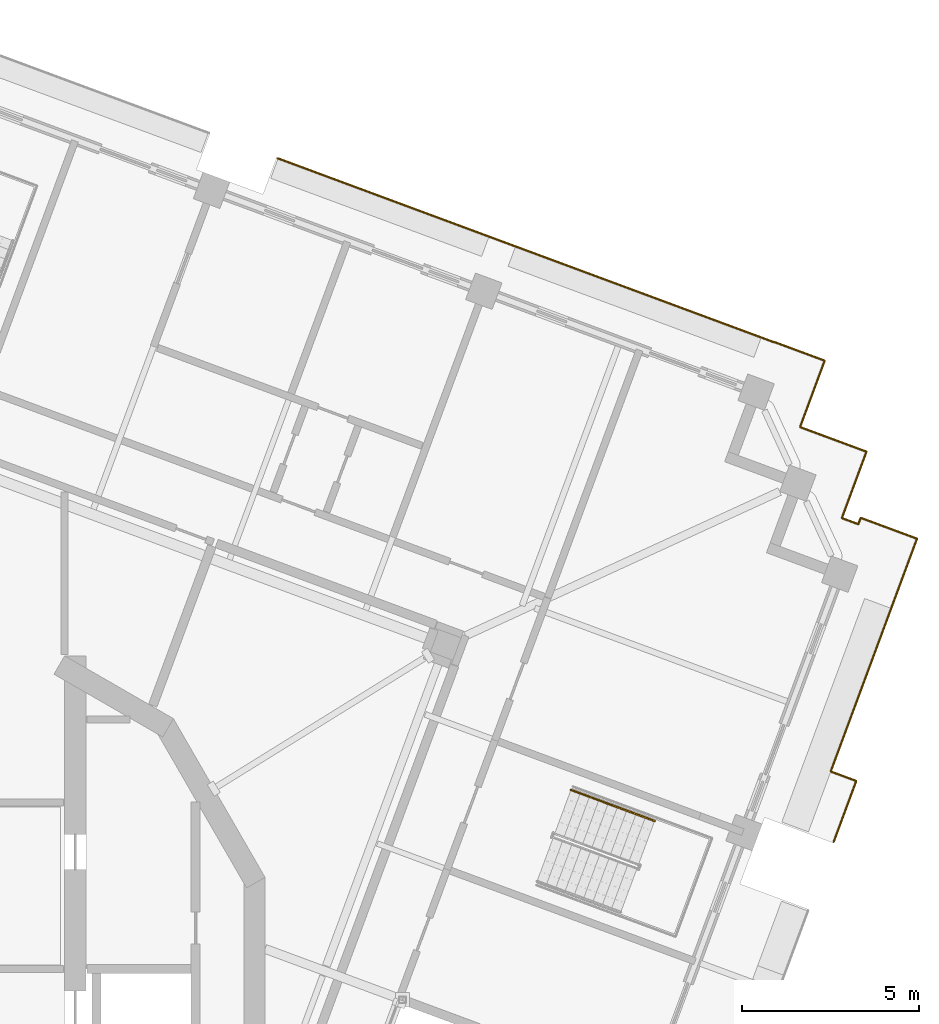
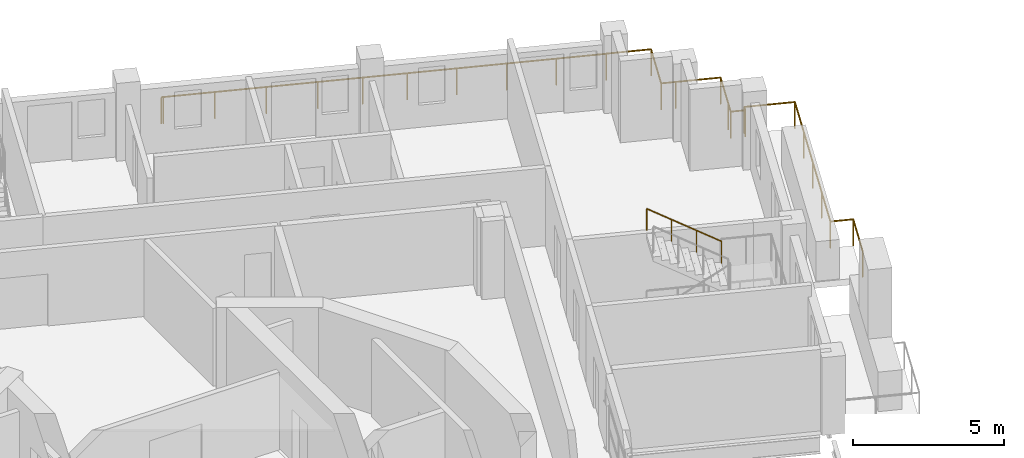
# One storey, part 17 of 19: 3 railings.
"""IFC4 building model written with IfcOpenShell, lengths in metres."""

from ifc_helpers import new_model, si_unit, direction, frame, origin, origin_2d, place, context, subcontext, project, spatial, circle, extrude, material, type_object, element, save


model = new_model("IFC4")

# Units and contexts
model_context = context("Model", 3, precision=1e-05, world=origin(), true_north=direction((0.0, 1.0)))
body_context = subcontext(model_context, "Body", "Model", "MODEL_VIEW")
ifc_project = project(units=[si_unit("LENGTHUNIT", "METRE"), si_unit("AREAUNIT", "SQUARE_METRE"), si_unit("VOLUMEUNIT", "CUBIC_METRE"), si_unit("PLANEANGLEUNIT", "RADIAN"), si_unit("MASSUNIT", "GRAM", prefix="KILO")], contexts=[model_context])

# Site, building, storey
site_placement = place(None, origin())
site = spatial("IfcSite", under=ifc_project, at=site_placement, CompositionType="ELEMENT")
building_placement = place(site_placement, origin())
building = spatial("IfcBuilding", under=site, at=building_placement, Name="Cantera Rosa Tower", CompositionType="ELEMENT")
storey_placement = place(building_placement, frame((0.0, 0.0, 342.10009765625)))
storey = spatial("IfcBuildingStorey", under=building, at=storey_placement, Name="L77", CompositionType="ELEMENT", Elevation=342.10009765625)

# Railings
ifc_material_1 = material(Name="Stainless steel and laminated glass", Category="steel")
railing_type_1 = type_object("IfcRailingType", Name="GUARD 1100", PredefinedType="BALUSTRADE", material=ifc_material_1)
railing_1_placement = place(storey_placement, frame((26.411376953125, 12.563232421875, 0.0)))
element("IfcRailing", 1, at=railing_1_placement, inside=storey, type_object=railing_type_1, Name="GUARD L77-9", PredefinedType="BALUSTRADE", context=body_context, shape_type="SweptSolid", body=[
    extrude(circle(Radius=0.030029296875, at=origin_2d()), frame((0.0, 0.0, 1.070068359375), z_axis=(0.346941811727, 0.937886655879, 0.0), x_axis=(-0.937886655879, 0.346941811727, 0.0)), (0.0, 0.0, 1.0), 0.192138671875),
    extrude(circle(Radius=0.030029296875, at=origin_2d()), frame((0.066650390625, 0.18017578125, 1.070068359375), z_axis=(0.937708907639, -0.347421940202, 0.0), x_axis=(0.347421940202, 0.937708907639, 0.0)), (0.0, 0.0, 1.0), 1.699951171875),
    extrude(circle(Radius=0.030029296875, at=origin_2d()), frame((1.66064453125, -0.410400390625, 1.070068359375), z_axis=(-0.34747652556, -0.937688681912, 0.0), x_axis=(0.937688681912, -0.34747652556, 0.0)), (0.0, 0.0, 1.0), 7.01123046875),
    extrude(circle(Radius=0.030029296875, at=origin_2d()), frame((-0.775634765625, -6.98486328125, 1.070068359375), z_axis=(0.937718113154, -0.347397093055, 0.0), x_axis=(0.347397093055, 0.937718113154, 0.0)), (0.0, 0.0, 1.0), 0.768798828125),
    extrude(circle(Radius=0.030029296875, at=origin_2d()), frame((-0.0546875, -7.251953125, 1.070068359375), z_axis=(-0.347483006941, -0.9376862801, 0.0), x_axis=(0.9376862801, -0.347483006941, 0.0)), (0.0, 0.0, 1.0), 1.838623046875),
    extrude(circle(Radius=0.02490234375, at=origin_2d()), origin(), (0.0, 0.0, 1.0), 1.0400390625),
    extrude(circle(Radius=0.02490234375, at=origin_2d()), frame((0.066650390625, 0.18017578125, 0.0)), (0.0, 0.0, 1.0), 1.0400390625),
    extrude(circle(Radius=0.02490234375, at=origin_2d()), frame((1.66064453125, -0.410400390625, 0.0)), (0.0, 0.0, 1.0), 1.0400390625),
    extrude(circle(Radius=0.02490234375, at=origin_2d()), frame((1.051513671875, -2.053955078125, 0.0)), (0.0, 0.0, 1.0), 1.0400390625),
    extrude(circle(Radius=0.02490234375, at=origin_2d()), frame((0.4423828125, -3.69775390625, 0.0)), (0.0, 0.0, 1.0), 1.0400390625),
    extrude(circle(Radius=0.02490234375, at=origin_2d()), frame((-0.16650390625, -5.34130859375, 0.0)), (0.0, 0.0, 1.0), 1.0400390625),
    extrude(circle(Radius=0.02490234375, at=origin_2d()), frame((-0.775634765625, -6.98486328125, 0.0)), (0.0, 0.0, 1.0), 1.0400390625),
    extrude(circle(Radius=0.02490234375, at=origin_2d()), frame((-0.0546875, -7.251953125, 0.0)), (0.0, 0.0, 1.0), 1.0400390625),
    extrude(circle(Radius=0.02490234375, at=origin_2d()), frame((-0.693603515625, -8.97607421875, 0.0)), (0.0, 0.0, 1.0), 1.0400390625),
])
railing_2_placement = place(storey_placement, frame((10.010498046875, 22.8984375, 0.0)))
element("IfcRailing", 2, at=railing_2_placement, inside=storey, type_object=railing_type_1, Name="GUARD L77-10", PredefinedType="BALUSTRADE", context=body_context, shape_type="SweptSolid", body=[
    extrude(circle(Radius=0.030029296875, at=origin_2d()), frame((0.0, 0.0, 1.070068359375), z_axis=(0.937327749542, -0.348448977525, 0.0), x_axis=(0.348448977525, 0.937327749542, 0.0)), (0.0, 0.0, 1.0), 0.070068359375),
    extrude(circle(Radius=0.030029296875, at=origin_2d()), frame((0.065673828125, -0.0244140625, 1.070068359375), z_axis=(0.937688147358, -0.347477968085, 0.0), x_axis=(0.347477968085, 0.937688147358, 0.0)), (0.0, 0.0, 1.0), 5.199951171875),
    extrude(circle(Radius=0.030029296875, at=origin_2d()), frame((4.941650390625, -1.831298828125, 1.070068359375), z_axis=(0.937680024402, -0.347499887537, 0.0), x_axis=(0.347499887537, 0.937680024402, 0.0)), (0.0, 0.0, 1.0), 3.0),
    extrude(circle(Radius=0.030029296875, at=origin_2d()), frame((7.754638671875, -2.873779296875, 1.070068359375), z_axis=(0.937686328856, -0.347482875373, 0.0), x_axis=(0.347482875373, 0.937686328856, 0.0)), (0.0, 0.0, 1.0), 6.699951171875),
    extrude(circle(Radius=0.030029296875, at=origin_2d()), frame((14.037109375, -5.201904296875, 1.070068359375), z_axis=(0.360994102558, 0.932568098274, 0.0), x_axis=(-0.932568098274, 0.360994102558, 0.0)), (0.0, 0.0, 1.0), 0.008056640625),
    extrude(circle(Radius=0.030029296875, at=origin_2d()), frame((14.0400390625, -5.1943359375, 1.070068359375), z_axis=(0.93763347607, -0.347625465916, 0.0), x_axis=(0.347625465916, 0.93763347607, 0.0)), (0.0, 0.0, 1.0), 1.5078125),
    extrude(circle(Radius=0.030029296875, at=origin_2d()), frame((15.453857421875, -5.718505859375, 1.070068359375), z_axis=(-0.347441587487, -0.93770162807, 0.0), x_axis=(0.93770162807, -0.347441587487, 0.0)), (0.0, 0.0, 1.0), 1.999755859375),
    extrude(circle(Radius=0.030029296875, at=origin_2d()), frame((14.759033203125, -7.59375, 1.070068359375), z_axis=(0.937748760724, -0.347314355824, 0.0), x_axis=(0.347314355824, 0.937748760724, 0.0)), (0.0, 0.0, 1.0), 0.491943359375),
    extrude(circle(Radius=0.030029296875, at=origin_2d()), frame((15.220458984375, -7.7646484375, 1.070068359375), z_axis=(0.93763347607, -0.347625465916, 0.0), x_axis=(0.347625465916, 0.93763347607, 0.0)), (0.0, 0.0, 1.0), 1.5078125),
    extrude(circle(Radius=0.030029296875, at=origin_2d()), frame((16.63427734375, -8.288818359375, 1.070068359375), z_axis=(-0.347483107742, -0.937686242746, 0.0), x_axis=(0.937686242746, -0.347483107742, 0.0)), (0.0, 0.0, 1.0), 1.5078125),
    extrude(circle(Radius=0.030029296875, at=origin_2d()), frame((16.1103515625, -9.70263671875, 1.070068359375), z_axis=(-0.347314355824, -0.937748760724, 0.0), x_axis=(0.937748760724, -0.347314355824, 0.0)), (0.0, 0.0, 1.0), 0.491943359375),
    extrude(circle(Radius=0.030029296875, at=origin_2d()), frame((15.939453125, -10.1640625, 1.070068359375), z_axis=(0.93758708988, -0.347750555558, 0.0), x_axis=(0.347750555558, 0.93758708988, 0.0)), (0.0, 0.0, 1.0), 0.4921875),
    extrude(circle(Radius=0.02490234375, at=origin_2d()), origin(), (0.0, 0.0, 1.0), 1.0400390625),
    extrude(circle(Radius=0.02490234375, at=origin_2d()), frame((0.065673828125, -0.0244140625, 0.0)), (0.0, 0.0, 1.0), 1.0400390625),
    extrude(circle(Radius=0.02490234375, at=origin_2d()), frame((1.69091796875, -0.626708984375, 0.0)), (0.0, 0.0, 1.0), 1.0400390625),
    extrude(circle(Radius=0.02490234375, at=origin_2d()), frame((3.31640625, -1.22900390625, 0.0)), (0.0, 0.0, 1.0), 1.0400390625),
    extrude(circle(Radius=0.02490234375, at=origin_2d()), frame((4.941650390625, -1.831298828125, 0.0)), (0.0, 0.0, 1.0), 1.0400390625),
    extrude(circle(Radius=0.02490234375, at=origin_2d()), frame((6.34814453125, -2.3525390625, 0.0)), (0.0, 0.0, 1.0), 1.0400390625),
    extrude(circle(Radius=0.02490234375, at=origin_2d()), frame((7.754638671875, -2.873779296875, 0.0)), (0.0, 0.0, 1.0), 1.0400390625),
    extrude(circle(Radius=0.02490234375, at=origin_2d()), frame((9.3251953125, -3.455810546875, 0.0)), (0.0, 0.0, 1.0), 1.0400390625),
    extrude(circle(Radius=0.02490234375, at=origin_2d()), frame((10.89599609375, -4.037841796875, 0.0)), (0.0, 0.0, 1.0), 1.0400390625),
    extrude(circle(Radius=0.02490234375, at=origin_2d()), frame((12.466552734375, -4.619873046875, 0.0)), (0.0, 0.0, 1.0), 1.0400390625),
    extrude(circle(Radius=0.02490234375, at=origin_2d()), frame((14.037109375, -5.201904296875, 0.0)), (0.0, 0.0, 1.0), 1.0400390625),
    extrude(circle(Radius=0.02490234375, at=origin_2d()), frame((14.0400390625, -5.1943359375, 0.0)), (0.0, 0.0, 1.0), 1.0400390625),
    extrude(circle(Radius=0.02490234375, at=origin_2d()), frame((15.453857421875, -5.718505859375, 0.0)), (0.0, 0.0, 1.0), 1.0400390625),
    extrude(circle(Radius=0.02490234375, at=origin_2d()), frame((14.759033203125, -7.59375, 0.0)), (0.0, 0.0, 1.0), 1.0400390625),
    extrude(circle(Radius=0.02490234375, at=origin_2d()), frame((15.220458984375, -7.7646484375, 0.0)), (0.0, 0.0, 1.0), 1.0400390625),
    extrude(circle(Radius=0.02490234375, at=origin_2d()), frame((16.63427734375, -8.288818359375, 0.0)), (0.0, 0.0, 1.0), 1.0400390625),
    extrude(circle(Radius=0.02490234375, at=origin_2d()), frame((16.1103515625, -9.70263671875, 0.0)), (0.0, 0.0, 1.0), 1.0400390625),
    extrude(circle(Radius=0.02490234375, at=origin_2d()), frame((15.939453125, -10.1640625, 0.0)), (0.0, 0.0, 1.0), 1.0400390625),
    extrude(circle(Radius=0.02490234375, at=origin_2d()), frame((16.40087890625, -10.335205078125, 0.0)), (0.0, 0.0, 1.0), 1.0400390625),
])
ifc_material_2 = material(Name="Steel S355J2 (EN 10025-2)", Category="steel")
railing_type_2 = type_object("IfcRailingType", Name="STAIR HANDRAIL 900", PredefinedType="HANDRAIL", material=ifc_material_2)
railing_3_placement = place(storey_placement, frame((20.660400390625, 4.181396484375, 1.97998046875)))
element("IfcRailing", 3, at=railing_3_placement, inside=storey, type_object=railing_type_2, Name="L77 ST-61 stair handrail 2", PredefinedType="HANDRAIL", context=body_context, shape_type="SweptSolid", body=[
    extrude(circle(Radius=0.02392578125, at=origin_2d()), frame((0.0, 0.0, 0.8759765625), z_axis=(-0.78878233546, 0.292319685639, 0.540713998944), x_axis=(-0.347500508527, -0.937679794265, 0.0)), (0.0, 0.0, 1.0), 2.995849609375),
    extrude(circle(Radius=0.02099609375, at=origin_2d()), origin(), (0.0, 0.0, 1.0), 0.851806640625),
    extrude(circle(Radius=0.02099609375, at=origin_2d()), frame((-0.78759765625, 0.2919921875, 0.5400390625)), (0.0, 0.0, 1.0), 0.851806640625),
    extrude(circle(Radius=0.02099609375, at=origin_2d()), frame((-1.575439453125, 0.583740234375, 1.079833984375)), (0.0, 0.0, 1.0), 0.851806640625),
    extrude(circle(Radius=0.02099609375, at=origin_2d()), frame((-2.363037109375, 0.875732421875, 1.619873046875)), (0.0, 0.0, 1.0), 0.851806640625),
])

save(model, "model.ifc")
